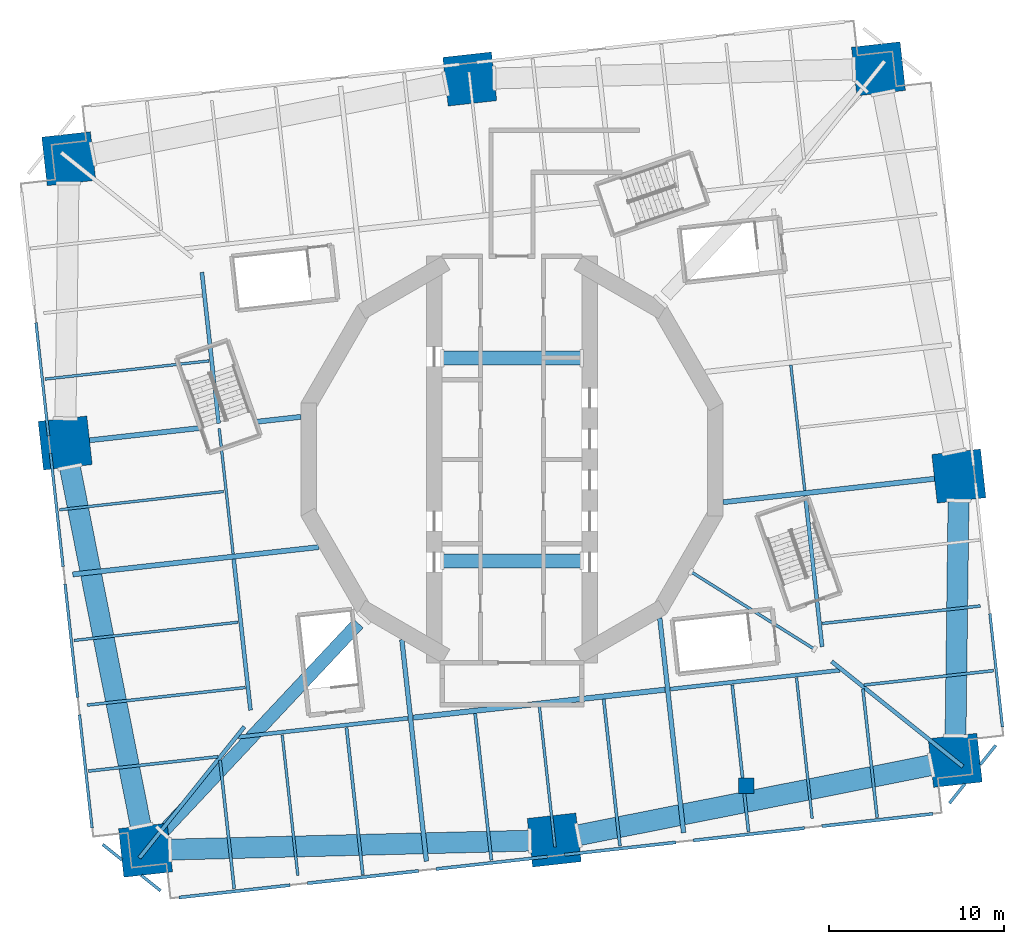
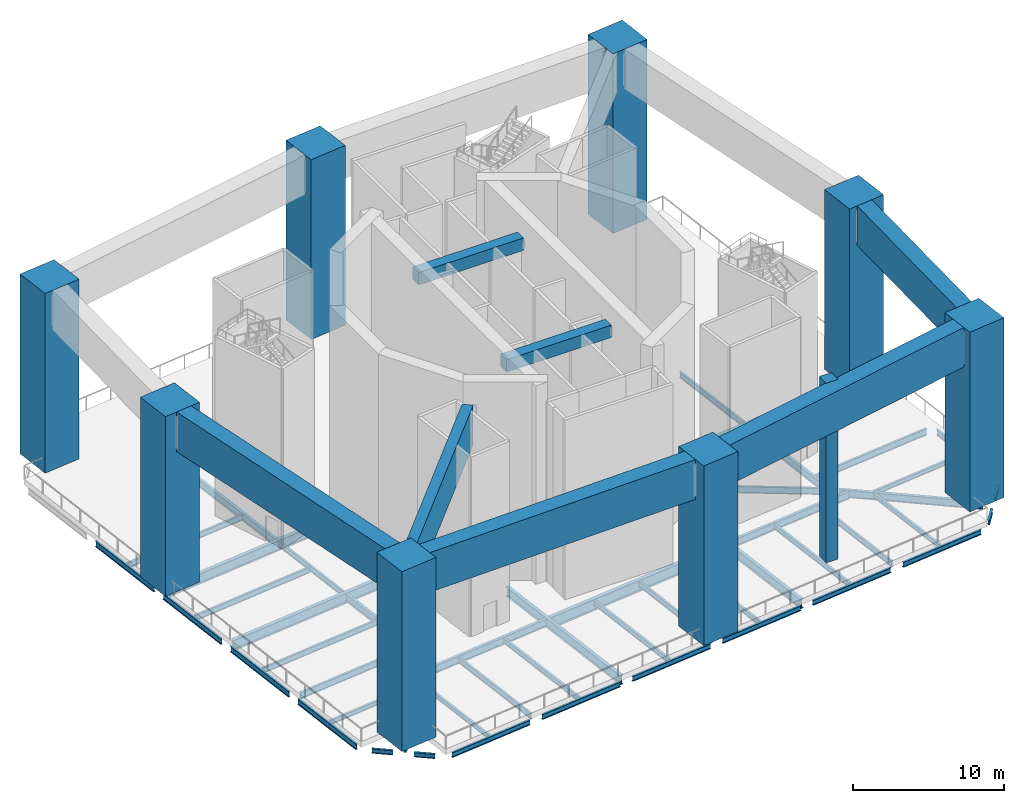
# One storey, part 1 of 13: 54 beams, 9 columns.
"""IFC4 building model written with IfcOpenShell, lengths in metres."""

from ifc_helpers import new_model, si_unit, direction, frame, origin, origin_2d, place, context, subcontext, project, spatial, rectangle, i_section, extrude, material, material_profile, profile_set, type_object, element, save


model = new_model("IFC4")

# Units and contexts
model_context = context("Model", 3, precision=1e-05, world=origin(), true_north=direction((0.0, 1.0)))
body_context = subcontext(model_context, "Body", "Model", "MODEL_VIEW")
ifc_project = project(units=[si_unit("LENGTHUNIT", "METRE"), si_unit("AREAUNIT", "SQUARE_METRE"), si_unit("VOLUMEUNIT", "CUBIC_METRE"), si_unit("PLANEANGLEUNIT", "RADIAN"), si_unit("MASSUNIT", "GRAM", prefix="KILO")], contexts=[model_context])

# Site, building, storey
site_placement = place(None, origin())
site = spatial("IfcSite", under=ifc_project, at=site_placement, CompositionType="ELEMENT")
building_placement = place(site_placement, origin())
building = spatial("IfcBuilding", under=site, at=building_placement, Name="Cantera Rosa Tower", CompositionType="ELEMENT")
storey_placement = place(building_placement, frame((0.0, 0.0, 84.300048828125)))
storey = spatial("IfcBuildingStorey", under=building, at=storey_placement, Name="L18", CompositionType="ELEMENT", Elevation=84.300048828125)

# Columns
ifc_material_1 = material(Name="Concrete C70/85", Category="concrete")
ifc_material_profile_1 = material_profile(ifc_material_1, rectangle(XDim=0.89990234375, YDim=0.89990234375, at=origin_2d()), Name="RC COLUMN RC900X900 C70/85")
ifc_profile_set_1 = profile_set([ifc_material_profile_1], Name="Concrete C70/85")
column_type_1 = type_object("IfcColumnType", Name="RC COLUMN RC900X900 C70/85", PredefinedType="COLUMN", material=ifc_profile_set_1)
column_placement = place(storey_placement, frame((13.40283203125, -18.652587890625, 0.0), z_axis=(0.0, 0.0, 1.0), x_axis=(1.0, 0.0, 0.0)))
element("IfcColumn", 1, at=column_placement, inside=storey, type_object=column_type_1, Name="CP-L19-2 L18", PredefinedType="COLUMN", context=body_context, shape_type="SweptSolid", body=[
    extrude(rectangle(XDim=0.89990234375, YDim=0.89990234375, at=origin_2d()), origin(), (0.0, 0.0, 1.0), 14.5),
])
ifc_material_2 = material(Name="Concrete C70/85", Category="concrete")
ifc_material_profile_2 = material_profile(ifc_material_2, rectangle(XDim=2.800048828125, YDim=2.800048828125, at=origin_2d()), Name="RC MEGA COLUMN RC2800X2800 C70/85")
ifc_profile_set_2 = profile_set([ifc_material_profile_2], Name="Concrete C70/85")
column_type_2 = type_object("IfcColumnType", Name="RC MEGA COLUMN RC2800X2800 C70/85", PredefinedType="COLUMN", material=ifc_profile_set_2)
for number, where, z_axis, x_axis, name in (
    (2, (20.962646484375, 22.348876953125, 0.0), (0.0, 0.0, 1.0), (0.993896946415, 0.110312555526, 0.0), "PM-C-Z1-07 L18"),
    (3, (25.35302734375, -17.208251953125, 0.0), (0.0, 0.0, 1.0), (0.993896946415, 0.110312555526, 0.0), "PM-C-Z1-30 L18"),
    (4, (-25.35302734375, 17.208251953125, 0.0), (0.0, 0.0, 1.0), (0.993896946415, 0.110312555526, 0.0), "PM-C-Z1-15 L18"),
    (5, (-20.962646484375, -22.348876953125, 0.0), (0.0, 0.0, 1.0), (0.993896946415, 0.110312555526, 0.0), "PM-C-Z1-22 L18"),
    (6, (25.560302734375, -0.946044921875, 0.0), (0.0, 0.0, 1.0), (0.993896946415, 0.110312555526, 0.0), "PM-C-Z1-03 L18"),
    (7, (-25.560302734375, 0.946044921875, 0.0), (0.0, 0.0, 1.0), (0.993896946415, 0.110312555526, 0.0), "PM-C-Z1-18 L18"),
    (8, (-2.415771484375, 21.766357421875, 0.0), (0.0, 0.0, 1.0), (0.993896946415, 0.110312555526, 0.0), "PM-C-Z1-11 L18"),
    (9, (2.415771484375, -21.766357421875, 0.0), (0.0, 0.0, 1.0), (0.993896946415, 0.110312555526, 0.0), "PM-C-Z1-26 L18"),
):
    element("IfcColumn", number, at=place(storey_placement, frame(where, z_axis=z_axis, x_axis=x_axis)), inside=storey, type_object=column_type_2, Name=name, PredefinedType="COLUMN", context=body_context, shape_type="SweptSolid", body=[
        extrude(rectangle(XDim=2.800048828125, YDim=2.800048828125, at=origin_2d()), origin(), (0.0, 0.0, 1.0), 14.5),
    ])

# Beams
ifc_material_3 = material(Name="Concrete C70/85", Category="concrete")
ifc_material_profile_3 = material_profile(ifc_material_3, rectangle(XDim=0.800048828125, YDim=1.0, at=origin_2d()), Name="RC COUPLING BEAM RC800X1000 C70/85")
ifc_profile_set_3 = profile_set([ifc_material_profile_3], Name="Concrete C70/85")
beam_type_1 = type_object("IfcBeamType", Name="RC COUPLING BEAM RC800X1000 C70/85", PredefinedType="BEAM", material=ifc_profile_set_3)
for number, where, z_axis, x_axis, name in (
    (10, (-4.0, -5.800048828125, 14.0), (1.0, 0.0, 0.0), (0.0, 1.0, 0.0), "CPL-L18-1"),
    (11, (-4.0, 5.800048828125, 14.0), (1.0, 0.0, 0.0), (0.0, 1.0, 0.0), "CPL-L18-2"),
):
    element("IfcBeam", number, at=place(storey_placement, frame(where, z_axis=z_axis, x_axis=x_axis)), inside=storey, type_object=beam_type_1, Name=name, PredefinedType="BEAM", context=body_context, shape_type="SweptSolid", body=[
        extrude(rectangle(XDim=0.800048828125, YDim=1.0, at=origin_2d()), origin(), (0.0, 0.0, 1.0), 8.0),
    ])
ifc_material_4 = material(Name="Concrete C70/85", Category="concrete")
ifc_material_profile_4 = material_profile(ifc_material_4, rectangle(XDim=0.75, YDim=3.199951171875, at=origin_2d()), Name="RC OUTRIGGER BEAM RC750X3200 C70/85")
ifc_profile_set_4 = profile_set([ifc_material_profile_4], Name="Concrete C70/85")
beam_type_2 = type_object("IfcBeamType", Name="RC OUTRIGGER BEAM RC750X3200 C70/85", PredefinedType="BEAM", material=ifc_profile_set_4)
beam_1_placement = place(storey_placement, frame((-8.791015625, -9.372314453125, 12.89990234375), z_axis=(-0.68412238268, -0.729367236388, 0.0), x_axis=(0.729367236388, -0.68412238268, 0.0)))
element("IfcBeam", 12, at=beam_1_placement, inside=storey, type_object=beam_type_2, Name="OR-S18 L18", PredefinedType="BEAM", context=body_context, shape_type="SweptSolid", body=[
    extrude(rectangle(XDim=0.75, YDim=3.199951171875, at=origin_2d()), origin(), (0.0, 0.0, 1.0), 16.441650390625),
])
ifc_material_5 = material(Name="Concrete C70/85", Category="concrete")
ifc_material_profile_5 = material_profile(ifc_material_5, rectangle(XDim=1.199951171875, YDim=3.199951171875, at=origin_2d()), Name="RC PORTAL TRANSFER GIRDER RC1200X3200 C70/85")
ifc_profile_set_5 = profile_set([ifc_material_profile_5], Name="Concrete C70/85")
beam_type_3 = type_object("IfcBeamType", Name="RC PORTAL TRANSFER GIRDER RC1200X3200 C70/85", PredefinedType="BEAM", material=ifc_profile_set_5)
beam_2_placement = place(storey_placement, frame((-19.613037109375, -22.315185546875, 12.89990234375), z_axis=(0.999689876079, 0.02490284451, 0.0), x_axis=(-0.02490284451, 0.999689876079, 0.0)))
element("IfcBeam", 13, at=beam_2_placement, inside=storey, type_object=beam_type_3, Name="PGB-L18-1", PredefinedType="BEAM", context=body_context, shape_type="SweptSolid", body=[
    extrude(rectangle(XDim=1.199951171875, YDim=3.199951171875, at=origin_2d()), origin(), (0.0, 0.0, 1.0), 20.685791015625),
])
beam_3_placement = place(storey_placement, frame((3.739990234375, -21.503173828125, 12.89990234375), z_axis=(0.980821880381, 0.194906231214, 0.0), x_axis=(-0.194906231214, 0.980821880381, 0.0)))
element("IfcBeam", 14, at=beam_3_placement, inside=storey, type_object=beam_type_3, Name="PGB-L18-2", PredefinedType="BEAM", context=body_context, shape_type="SweptSolid", body=[
    extrude(rectangle(XDim=1.199951171875, YDim=3.199951171875, at=origin_2d()), origin(), (0.0, 0.0, 1.0), 20.685546875),
])
beam_4_placement = place(storey_placement, frame((25.3701171875, -15.8583984375, 12.89990234375), z_axis=(0.012761777483, 0.999918565202, 0.0), x_axis=(-0.999918565202, 0.012761777483, 0.0)))
element("IfcBeam", 15, at=beam_4_placement, inside=storey, type_object=beam_type_3, Name="PGB-L18-3", PredefinedType="BEAM", context=body_context, shape_type="SweptSolid", body=[
    extrude(rectangle(XDim=1.199951171875, YDim=3.199951171875, at=origin_2d()), origin(), (0.0, 0.0, 1.0), 13.563720703125),
])
beam_5_placement = place(storey_placement, frame((-25.299072265625, -0.37841796875, 12.89990234375), z_axis=(0.193636851945, -0.981073274312, 0.0), x_axis=(0.981073274312, 0.193636851945, 0.0)))
element("IfcBeam", 16, at=beam_5_placement, inside=storey, type_object=beam_type_3, Name="PGB-L18-8", PredefinedType="BEAM", context=body_context, shape_type="SweptSolid", body=[
    extrude(rectangle(XDim=1.199951171875, YDim=3.199951171875, at=origin_2d()), origin(), (0.0, 0.0, 1.0), 21.044189453125),
])
ifc_material_6 = material(Name="Steel ASTM A992 (Fy 345 MPa)", Category="steel")
ifc_material_profile_6 = material_profile(ifc_material_6, i_section(OverallWidth=0.154052734375, OverallDepth=0.4599609375, WebThickness=0.009033203125, FlangeThickness=0.015380859375, FilletRadius=0.01025390625, at=origin_2d()), Name="W460X68")
ifc_profile_set_6 = profile_set([ifc_material_profile_6], Name="Steel ASTM A992 (Fy 345 MPa)")
beam_type_4 = type_object("IfcBeamType", Name="STEEL BEAM W460X68", PredefinedType="BEAM", material=ifc_profile_set_6)
beam_6_placement = place(storey_placement, frame((-12.249755859375, -23.796630859375, -0.679931640625), z_axis=(-0.110312435488, 0.993896959738, 0.0), x_axis=(-0.993896959738, -0.110312435488, 0.0)))
element("IfcBeam", 17, at=beam_6_placement, inside=storey, type_object=beam_type_4, Name="G-Z1-10 L18", PredefinedType="BEAM", context=body_context, shape_type="SweptSolid", body=[
    extrude(i_section(OverallWidth=0.154052734375, OverallDepth=0.4599609375, WebThickness=0.009033203125, FlangeThickness=0.015380859375, FilletRadius=0.01025390625, at=origin_2d()), origin(), (0.0, 0.0, 1.0), 8.10009765625),
])
for number, where, z_axis, x_axis, name in (
    (18, (2.4599609375, -22.163818359375, -0.679931640625), (-0.110315740112, 0.993896592953, 0.0), (-0.993896592953, -0.110315740112, 0.0), "G-Z1-12 L18"),
    (19, (17.169677734375, -20.53125, -0.679931640625), (-0.110315740112, 0.993896592953, 0.0), (-0.993896592953, -0.110315740112, 0.0), "G-Z1-14 L18"),
):
    element("IfcBeam", number, at=place(storey_placement, frame(where, z_axis=z_axis, x_axis=x_axis)), inside=storey, type_object=beam_type_4, Name=name, PredefinedType="BEAM", context=body_context, shape_type="SweptSolid", body=[
        extrude(i_section(OverallWidth=0.154052734375, OverallDepth=0.4599609375, WebThickness=0.009033203125, FlangeThickness=0.015380859375, FilletRadius=0.01025390625, at=origin_2d()), origin(), (0.0, 0.0, 1.0), 8.099853515625),
    ])
for number, where, z_axis, x_axis, name in (
    (20, (16.747802734375, -1.7734375, -0.679931640625), (-0.110301629462, 0.993898159037, 0.0), (-0.993898159037, -0.110301629462, 0.0), "RB-Z1-08 L18"),
    (21, (-15.951416015625, -5.402587890625, -0.679931640625), (-0.110301629462, 0.993898159037, 0.0), (-0.993898159037, -0.110301629462, 0.0), "RB-Z1-11 L18"),
):
    element("IfcBeam", number, at=place(storey_placement, frame(where, z_axis=z_axis, x_axis=x_axis)), inside=storey, type_object=beam_type_4, Name=name, PredefinedType="BEAM", context=body_context, shape_type="SweptSolid", body=[
        extrude(i_section(OverallWidth=0.154052734375, OverallDepth=0.4599609375, WebThickness=0.009033203125, FlangeThickness=0.015380859375, FilletRadius=0.01025390625, at=origin_2d()), origin(), (0.0, 0.0, 1.0), 7.219970703125),
    ])
ifc_material_7 = material(Name="Steel ASTM A992 (Fy 345 MPa)", Category="steel")
ifc_material_profile_7 = material_profile(ifc_material_7, i_section(OverallWidth=0.166015625, OverallDepth=0.528076171875, WebThickness=0.009765625, FlangeThickness=0.013671875, FilletRadius=0.0126953125, at=origin_2d()), Name="W530X74")
ifc_profile_set_7 = profile_set([ifc_material_profile_7], Name="Steel ASTM A992 (Fy 345 MPa)")
beam_type_5 = type_object("IfcBeamType", Name="STEEL BEAM W530X74", PredefinedType="BEAM", material=ifc_profile_set_7)
for number, where, z_axis, x_axis, name in (
    (22, (26.78759765625, -8.376220703125, -0.714111328125), (-0.993899428859, -0.110290186845, 0.0), (0.110290186845, -0.993899428859, 0.0), "G-Z1-01 L18"),
    (23, (-24.298828125, -14.046142578125, -0.714111328125), (0.993896161189, 0.110319630049, 0.0), (-0.110319630049, 0.993896161189, 0.0), "G-Z1-18 L18"),
):
    element("IfcBeam", number, at=place(storey_placement, frame(where, z_axis=z_axis, x_axis=x_axis)), inside=storey, type_object=beam_type_5, Name=name, PredefinedType="BEAM", context=body_context, shape_type="SweptSolid", body=[
        extrude(i_section(OverallWidth=0.166015625, OverallDepth=0.528076171875, WebThickness=0.009765625, FlangeThickness=0.013671875, FilletRadius=0.0126953125, at=origin_2d()), origin(), (0.0, 0.0, 1.0), 9.10009765625),
    ])
beam_7_placement = place(storey_placement, frame((17.302490234375, -10.8505859375, -0.714111328125), z_axis=(-0.847189957301, 0.531290105543, 0.0), x_axis=(-0.531290105543, -0.847189957301, 0.0)))
element("IfcBeam", 24, at=beam_7_placement, inside=storey, type_object=beam_type_5, Name="PG-Z1-01 L18", PredefinedType="BEAM", context=body_context, shape_type="SweptSolid", body=[
    extrude(i_section(OverallWidth=0.166015625, OverallDepth=0.528076171875, WebThickness=0.009765625, FlangeThickness=0.013671875, FilletRadius=0.0126953125, at=origin_2d()), origin(), (0.0, 0.0, 1.0), 8.34130859375),
])
ifc_material_8 = material(Name="Steel ASTM A992 (Fy 345 MPa)", Category="steel")
ifc_material_profile_8 = material_profile(ifc_material_8, i_section(OverallWidth=0.22802734375, OverallDepth=0.60205078125, WebThickness=0.010498046875, FlangeThickness=0.014892578125, FilletRadius=0.0126953125, at=origin_2d()), Name="W610X101")
ifc_profile_set_8 = profile_set([ifc_material_profile_8], Name="Steel ASTM A992 (Fy 345 MPa)")
beam_type_6 = type_object("IfcBeamType", Name="STEEL BEAM W610X101", PredefinedType="BEAM", material=ifc_profile_set_8)
beam_8_placement = place(storey_placement, frame((-21.31591796875, -22.79052734375, -0.7509765625), z_axis=(0.624787924463, 0.780794498857, 0.0), x_axis=(-0.780794498857, 0.624787924463, 0.0)))
element("IfcBeam", 25, at=beam_8_placement, inside=storey, type_object=beam_type_6, Name="CB-Z1-03 L18", PredefinedType="BEAM", context=body_context, shape_type="SweptSolid", body=[
    extrude(i_section(OverallWidth=0.22802734375, OverallDepth=0.60205078125, WebThickness=0.010498046875, FlangeThickness=0.014892578125, FilletRadius=0.0126953125, at=origin_2d()), origin(), (0.0, 0.0, 1.0), 9.616455078125),
])
beam_9_placement = place(storey_placement, frame((25.794677734375, -17.561767578125, -0.7509765625), z_axis=(-0.78078211406, 0.62480340137, 0.0), x_axis=(-0.62480340137, -0.78078211406, 0.0)))
element("IfcBeam", 26, at=beam_9_placement, inside=storey, type_object=beam_type_6, Name="CB-Z1-04 L18", PredefinedType="BEAM", context=body_context, shape_type="SweptSolid", body=[
    extrude(i_section(OverallWidth=0.22802734375, OverallDepth=0.60205078125, WebThickness=0.010498046875, FlangeThickness=0.014892578125, FilletRadius=0.0126953125, at=origin_2d()), origin(), (0.0, 0.0, 1.0), 9.61669921875),
])
for number, where, z_axis, x_axis, name in (
    (27, (17.739501953125, -10.70849609375, -0.7509765625), (-0.110298932846, 0.993898458301, 0.0), (-0.993898458301, -0.110298932846, 0.0), "RB-Z1-07 L18"),
    (28, (-14.959716796875, -14.337646484375, -0.7509765625), (-0.110298932846, 0.993898458301, 0.0), (-0.993898458301, -0.110298932846, 0.0), "RB-Z1-10 L18"),
    (29, (-16.781005859375, 2.071533203125, -0.7509765625), (-0.110298932846, 0.993898458301, 0.0), (-0.993898458301, -0.110298932846, 0.0), "RB-Z1-12 L18"),
):
    element("IfcBeam", number, at=place(storey_placement, frame(where, z_axis=z_axis, x_axis=x_axis)), inside=storey, type_object=beam_type_6, Name=name, PredefinedType="BEAM", context=body_context, shape_type="SweptSolid", body=[
        extrude(i_section(OverallWidth=0.22802734375, OverallDepth=0.60205078125, WebThickness=0.010498046875, FlangeThickness=0.014892578125, FilletRadius=0.0126953125, at=origin_2d()), origin(), (0.0, 0.0, 1.0), 8.68994140625),
    ])
ifc_material_9 = material(Name="Steel ASTM A992 (Fy 345 MPa)", Category="steel")
ifc_material_profile_9 = material_profile(ifc_material_9, i_section(OverallWidth=0.22900390625, OverallDepth=0.612060546875, WebThickness=0.011962890625, FlangeThickness=0.01953125, FilletRadius=0.0126953125, at=origin_2d()), Name="W610X125")
ifc_profile_set_9 = profile_set([ifc_material_profile_9], Name="Steel ASTM A992 (Fy 345 MPa)")
beam_type_7 = type_object("IfcBeamType", Name="STEEL BEAM W610X125", PredefinedType="BEAM", material=ifc_profile_set_9)
beam_10_placement = place(storey_placement, frame((-15.64453125, -15.87255859375, -0.756103515625), z_axis=(0.993898078625, 0.110302354035, 0.0), x_axis=(-0.110302354035, 0.993898078625, 0.0)))
element("IfcBeam", 30, at=beam_10_placement, inside=storey, type_object=beam_type_7, Name="RB-Z1-04 L18", PredefinedType="BEAM", context=body_context, shape_type="SweptSolid", body=[
    extrude(i_section(OverallWidth=0.22900390625, OverallDepth=0.612060546875, WebThickness=0.011962890625, FlangeThickness=0.01953125, FilletRadius=0.0126953125, at=origin_2d()), origin(), (0.0, 0.0, 1.0), 9.75),
])
beam_11_placement = place(storey_placement, frame((9.0537109375, -13.13134765625, -0.756103515625), z_axis=(0.993898383269, 0.110299608956, 0.0), x_axis=(-0.110299608956, 0.993898383269, 0.0)))
element("IfcBeam", 31, at=beam_11_placement, inside=storey, type_object=beam_type_7, Name="RB-Z1-06 L18", PredefinedType="BEAM", context=body_context, shape_type="SweptSolid", body=[
    extrude(i_section(OverallWidth=0.22900390625, OverallDepth=0.612060546875, WebThickness=0.011962890625, FlangeThickness=0.01953125, FilletRadius=0.0126953125, at=origin_2d()), origin(), (0.0, 0.0, 1.0), 9.750244140625),
])
ifc_material_10 = material(Name="Steel ASTM A992 (Fy 345 MPa)", Category="steel")
ifc_material_profile_10 = material_profile(ifc_material_10, i_section(OverallWidth=0.26708984375, OverallDepth=0.75390625, WebThickness=0.01318359375, FlangeThickness=0.01708984375, FilletRadius=0.0166015625, at=origin_2d()), Name="W760X147")
ifc_profile_set_10 = profile_set([ifc_material_profile_10], Name="Steel ASTM A992 (Fy 345 MPa)")
beam_type_8 = type_object("IfcBeamType", Name="STEEL BEAM W760X147", PredefinedType="BEAM", material=ifc_profile_set_10)
beam_12_placement = place(storey_placement, frame((-4.894775390625, -22.980224609375, -0.8271484375), z_axis=(-0.11031177493, 0.993897033053, 0.0), x_axis=(-0.993897033053, -0.11031177493, 0.0)))
element("IfcBeam", 32, at=beam_12_placement, inside=storey, type_object=beam_type_8, Name="G-Z1-11 L18", PredefinedType="BEAM", context=body_context, shape_type="SweptSolid", body=[
    extrude(i_section(OverallWidth=0.26708984375, OverallDepth=0.75390625, WebThickness=0.01318359375, FlangeThickness=0.01708984375, FilletRadius=0.0166015625, at=origin_2d()), origin(), (0.0, 0.0, 1.0), 12.754638671875),
])
beam_13_placement = place(storey_placement, frame((9.814697265625, -21.34765625, -0.8271484375), z_axis=(-0.110292782244, 0.993899140851, 0.0), x_axis=(-0.993899140851, -0.110292782244, 0.0)))
element("IfcBeam", 33, at=beam_13_placement, inside=storey, type_object=beam_type_8, Name="G-Z1-13 L18", PredefinedType="BEAM", context=body_context, shape_type="SweptSolid", body=[
    extrude(i_section(OverallWidth=0.26708984375, OverallDepth=0.75390625, WebThickness=0.01318359375, FlangeThickness=0.01708984375, FilletRadius=0.0166015625, at=origin_2d()), origin(), (0.0, 0.0, 1.0), 12.360595703125),
])
ifc_material_11 = material(Name="Steel ASTM A992 (Fy 345 MPa)", Category="steel")
ifc_material_profile_11 = material_profile(ifc_material_11, i_section(OverallWidth=0.2919921875, OverallDepth=0.8359375, WebThickness=0.013916015625, FlangeThickness=0.018798828125, FilletRadius=0.017822265625, at=origin_2d()), Name="W840X176")
ifc_profile_set_11 = profile_set([ifc_material_profile_11], Name="Steel ASTM A992 (Fy 345 MPa)")
beam_type_9 = type_object("IfcBeamType", Name="STEEL BEAM W840X176", PredefinedType="BEAM", material=ifc_profile_set_11)
for number, where, z_axis, x_axis, name in (
    (34, (25.9580078125, -0.902099609375, -0.8681640625), (-0.993898644981, -0.110297250672, 0.0), (0.110297250672, -0.993898644981, 0.0), "G-Z1-02 L18"),
    (35, (-25.9580078125, 0.902099609375, -0.8681640625), (0.993898644981, 0.110297250672, 0.0), (-0.110297250672, 0.993898644981, 0.0), "G-Z1-16 L18"),
):
    element("IfcBeam", number, at=place(storey_placement, frame(where, z_axis=z_axis, x_axis=x_axis)), inside=storey, type_object=beam_type_9, Name=name, PredefinedType="BEAM", context=body_context, shape_type="SweptSolid", body=[
        extrude(i_section(OverallWidth=0.2919921875, OverallDepth=0.8359375, WebThickness=0.013916015625, FlangeThickness=0.018798828125, FilletRadius=0.017822265625, at=origin_2d()), origin(), (0.0, 0.0, 1.0), 13.96923828125),
    ])
beam_14_placement = place(storey_placement, frame((-25.12841796875, -6.572021484375, -0.8681640625), z_axis=(0.993897599241, 0.110306673519, 0.0), x_axis=(-0.110306673519, 0.993897599241, 0.0)))
element("IfcBeam", 36, at=beam_14_placement, inside=storey, type_object=beam_type_9, Name="G-Z1-17 L18", PredefinedType="BEAM", context=body_context, shape_type="SweptSolid", body=[
    extrude(i_section(OverallWidth=0.2919921875, OverallDepth=0.8359375, WebThickness=0.013916015625, FlangeThickness=0.018798828125, FilletRadius=0.017822265625, at=origin_2d()), origin(), (0.0, 0.0, 1.0), 14.1650390625),
])
ifc_material_12 = material(Name="Steel ASTM A992 (Fy 345 MPa)", Category="steel")
ifc_material_profile_12 = material_profile(ifc_material_12, i_section(OverallWidth=0.304931640625, OverallDepth=0.9189453125, WebThickness=0.017333984375, FlangeThickness=0.02783203125, FilletRadius=0.01904296875, at=origin_2d()), Name="W920X253")
ifc_profile_set_12 = profile_set([ifc_material_profile_12], Name="Steel ASTM A992 (Fy 345 MPa)")
beam_type_10 = type_object("IfcBeamType", Name="STEEL BEAM W920X253", PredefinedType="BEAM", material=ifc_profile_set_12)
beam_15_placement = place(storey_placement, frame((-5.65576171875, -14.763916015625, -0.90966796875), z_axis=(0.993898099692, 0.110302164209, 0.0), x_axis=(-0.110302164209, 0.993898099692, 0.0)))
element("IfcBeam", 37, at=beam_15_placement, inside=storey, type_object=beam_type_10, Name="RB-Z1-05 L18", PredefinedType="BEAM", context=body_context, shape_type="SweptSolid", body=[
    extrude(i_section(OverallWidth=0.304931640625, OverallDepth=0.9189453125, WebThickness=0.017333984375, FlangeThickness=0.02783203125, FilletRadius=0.01904296875, at=origin_2d()), origin(), (0.0, 0.0, 1.0), 14.499755859375),
])
ifc_material_13 = material(Name="Steel ASTM A992 (Fy 345 MPa)", Category="steel")
ifc_material_profile_13 = material_profile(ifc_material_13, i_section(OverallWidth=0.1708984375, OverallDepth=0.35595703125, WebThickness=0.00732421875, FlangeThickness=0.01171875, FilletRadius=0.010009765625, at=origin_2d()), Name="W360X51")
ifc_profile_set_13 = profile_set([ifc_material_profile_13], Name="Steel ASTM A992 (Fy 345 MPa)")
beam_type_11 = type_object("IfcBeamType", Name="STEEL JOIST W360X51", PredefinedType="JOIST", material=ifc_profile_set_13)
beam_16_placement = place(storey_placement, frame((27.550048828125, -12.074462890625, -0.6279296875), z_axis=(-0.993895702238, -0.110323764768, 0.0), x_axis=(0.110323764768, -0.993895702238, 0.0)))
element("IfcBeam", 38, at=beam_16_placement, inside=storey, type_object=beam_type_11, Name="B-Z1-01 L18", PredefinedType="JOIST", context=body_context, shape_type="SweptSolid", body=[
    extrude(i_section(OverallWidth=0.1708984375, OverallDepth=0.35595703125, WebThickness=0.00732421875, FlangeThickness=0.01171875, FilletRadius=0.010009765625, at=origin_2d()), origin(), (0.0, 0.0, 1.0), 7.4599609375),
])
for number, where, z_axis, x_axis, name in (
    (39, (-15.888427734375, -24.552490234375, -0.6279296875), (-0.110326513132, 0.993895397162, 0.0), (-0.993895397162, -0.110326513132, 0.0), "B-Z1-12 L18"),
    (40, (20.8857421875, -20.470947265625, -0.6279296875), (-0.110326513132, 0.993895397162, 0.0), (-0.993895397162, -0.110326513132, 0.0), "B-Z1-17 L18"),
):
    element("IfcBeam", number, at=place(storey_placement, frame(where, z_axis=z_axis, x_axis=x_axis)), inside=storey, type_object=beam_type_11, Name=name, PredefinedType="JOIST", context=body_context, shape_type="SweptSolid", body=[
        extrude(i_section(OverallWidth=0.1708984375, OverallDepth=0.35595703125, WebThickness=0.00732421875, FlangeThickness=0.01171875, FilletRadius=0.010009765625, at=origin_2d()), origin(), (0.0, 0.0, 1.0), 7.39990234375),
    ])
beam_17_placement = place(storey_placement, frame((-24.23193359375, -17.82177734375, -0.6279296875), z_axis=(0.993899688369, 0.110287848199, 0.0), x_axis=(-0.110287848199, 0.993899688369, 0.0)))
element("IfcBeam", 41, at=beam_17_placement, inside=storey, type_object=beam_type_11, Name="B-Z1-22 L18", PredefinedType="JOIST", context=body_context, shape_type="SweptSolid", body=[
    extrude(i_section(OverallWidth=0.1708984375, OverallDepth=0.35595703125, WebThickness=0.00732421875, FlangeThickness=0.01171875, FilletRadius=0.010009765625, at=origin_2d()), origin(), (0.0, 0.0, 1.0), 7.4599609375),
])
ifc_material_14 = material(Name="Steel ASTM A992 (Fy 345 MPa)", Category="steel")
ifc_material_profile_14 = material_profile(ifc_material_14, i_section(OverallWidth=0.177978515625, OverallDepth=0.406005859375, WebThickness=0.0078125, FlangeThickness=0.0126953125, FilletRadius=0.01025390625, at=origin_2d()), Name="W410X60")
ifc_profile_set_14 = profile_set([ifc_material_profile_14], Name="Steel ASTM A992 (Fy 345 MPa)")
beam_type_12 = type_object("IfcBeamType", Name="STEEL JOIST W410X60", PredefinedType="JOIST", material=ifc_profile_set_14)
for number, where, z_axis, x_axis, name in (
    (42, (-8.53369140625, -23.736328125, -0.653076171875), (-0.110311022989, 0.99389711651, 0.0), (-0.99389711651, -0.110311022989, 0.0), "B-Z1-13 L18"),
    (43, (-1.178955078125, -22.919921875, -0.653076171875), (-0.110311022989, 0.99389711651, 0.0), (-0.99389711651, -0.110311022989, 0.0), "B-Z1-14 L18"),
    (44, (6.176025390625, -22.103515625, -0.653076171875), (-0.110311022989, 0.99389711651, 0.0), (-0.99389711651, -0.110311022989, 0.0), "B-Z1-15 L18"),
    (45, (13.53076171875, -21.287353515625, -0.653076171875), (-0.110311022989, 0.99389711651, 0.0), (-0.99389711651, -0.110311022989, 0.0), "B-Z1-16 L18"),
):
    element("IfcBeam", number, at=place(storey_placement, frame(where, z_axis=z_axis, x_axis=x_axis)), inside=storey, type_object=beam_type_12, Name=name, PredefinedType="JOIST", context=body_context, shape_type="SweptSolid", body=[
        extrude(i_section(OverallWidth=0.177978515625, OverallDepth=0.406005859375, WebThickness=0.0078125, FlangeThickness=0.0126953125, FilletRadius=0.01025390625, at=origin_2d()), origin(), (0.0, 0.0, 1.0), 8.449951171875),
    ])
ifc_material_15 = material(Name="Steel ASTM A992 (Fy 345 MPa)", Category="steel")
ifc_material_profile_15 = material_profile(ifc_material_15, i_section(OverallWidth=0.154052734375, OverallDepth=0.4599609375, WebThickness=0.009033203125, FlangeThickness=0.015380859375, FilletRadius=0.01025390625, at=origin_2d()), Name="W460X68")
ifc_profile_set_15 = profile_set([ifc_material_profile_15], Name="Steel ASTM A992 (Fy 345 MPa)")
beam_type_13 = type_object("IfcBeamType", Name="STEEL JOIST W460X68", PredefinedType="JOIST", material=ifc_profile_set_15)
for number, where, z_axis, x_axis, name in (
    (46, (-26.720458984375, 4.600341796875, -0.679931640625), (0.993896645353, 0.110315268011, 0.0), (-0.110315268011, 0.993896645353, 0.0), "B-Z1-19 L18"),
    (47, (-25.89111328125, -2.87353515625, -0.679931640625), (0.993899477629, 0.110289747342, 0.0), (-0.110289747342, 0.993899477629, 0.0), "B-Z1-20 L18"),
    (48, (-25.0615234375, -10.34765625, -0.679931640625), (0.993896645353, 0.110315268011, 0.0), (-0.110315268011, 0.993896645353, 0.0), "B-Z1-21 L18"),
):
    element("IfcBeam", number, at=place(storey_placement, frame(where, z_axis=z_axis, x_axis=x_axis)), inside=storey, type_object=beam_type_13, Name=name, PredefinedType="JOIST", context=body_context, shape_type="SweptSolid", body=[
        extrude(i_section(OverallWidth=0.154052734375, OverallDepth=0.4599609375, WebThickness=0.009033203125, FlangeThickness=0.015380859375, FilletRadius=0.01025390625, at=origin_2d()), origin(), (0.0, 0.0, 1.0), 9.449951171875),
    ])
ifc_material_16 = material(Name="Steel ASTM A992 (Fy 345 MPa)", Category="steel")
ifc_material_profile_16 = material_profile(ifc_material_16, i_section(OverallWidth=0.1708984375, OverallDepth=0.35595703125, WebThickness=0.00732421875, FlangeThickness=0.01171875, FilletRadius=0.010009765625, at=origin_2d()), Name="W360X51")
ifc_profile_set_16 = profile_set([ifc_material_profile_16], Name="Steel ASTM A992 (Fy 345 MPa)")
beam_type_14 = type_object("IfcBeamType", Name="STEEL SPANDREL BEAM W360X51", PredefinedType="SPANDREL", material=ifc_profile_set_16)
for number, where, z_axis, x_axis, name in (
    (49, (-23.4140625, -22.017333984375, -0.6279296875), (0.780818280208, -0.624758203863, 0.0), (0.624758203863, 0.780818280208, 0.0), "EB-Z1-21 L18"),
    (50, (-21.205810546875, -23.784423828125, -0.6279296875), (0.780818280208, -0.624758203863, 0.0), (0.624758203863, 0.780818280208, 0.0), "EB-Z1-22 L18"),
    (51, (25.021484375, -19.659912109375, -0.6279296875), (0.624758203863, 0.780818280208, 0.0), (-0.780818280208, 0.624758203863, 0.0), "EB-Z1-29 L18"),
    (52, (26.78857421875, -17.451416015625, -0.6279296875), (0.624758203863, 0.780818280208, 0.0), (-0.780818280208, 0.624758203863, 0.0), "EB-Z1-30 L18"),
):
    element("IfcBeam", number, at=place(storey_placement, frame(where, z_axis=z_axis, x_axis=x_axis)), inside=storey, type_object=beam_type_14, Name=name, PredefinedType="SPANDREL", context=body_context, shape_type="SweptSolid", body=[
        extrude(i_section(OverallWidth=0.1708984375, OverallDepth=0.35595703125, WebThickness=0.00732421875, FlangeThickness=0.01171875, FilletRadius=0.010009765625, at=origin_2d()), origin(), (0.0, 0.0, 1.0), 1.414306640625),
    ])
ifc_material_17 = material(Name="Steel ASTM A992 (Fy 345 MPa)", Category="steel")
ifc_material_profile_17 = material_profile(ifc_material_17, i_section(OverallWidth=0.177978515625, OverallDepth=0.406005859375, WebThickness=0.0078125, FlangeThickness=0.0126953125, FilletRadius=0.01025390625, at=origin_2d()), Name="W410X60")
ifc_profile_set_17 = profile_set([ifc_material_profile_17], Name="Steel ASTM A992 (Fy 345 MPa)")
beam_type_15 = type_object("IfcBeamType", Name="STEEL SPANDREL BEAM W410X60", PredefinedType="SPANDREL", material=ifc_profile_set_17)
beam_18_placement = place(storey_placement, frame((-19.052490234375, -25.0546875, -0.653076171875), z_axis=(0.993896288542, 0.110318482689, 0.0), x_axis=(-0.110318482689, 0.993896288542, 0.0)))
element("IfcBeam", 53, at=beam_18_placement, inside=storey, type_object=beam_type_15, Name="EB-Z1-23 L18", PredefinedType="SPANDREL", context=body_context, shape_type="SweptSolid", body=[
    extrude(i_section(OverallWidth=0.177978515625, OverallDepth=0.406005859375, WebThickness=0.0078125, FlangeThickness=0.0126953125, FilletRadius=0.01025390625, at=origin_2d()), origin(), (0.0, 0.0, 1.0), 6.400146484375),
])
for number, where, z_axis, x_axis, name in (
    (54, (-11.697509765625, -24.23828125, -0.653076171875), (0.993895824271, 0.110322665379, 0.0), (-0.110322665379, 0.993895824271, 0.0), "EB-Z1-24 L18"),
    (55, (-4.3427734375, -23.422119140625, -0.653076171875), (0.993895824271, 0.110322665379, 0.0), (-0.110322665379, 0.993895824271, 0.0), "EB-Z1-25 L18"),
):
    element("IfcBeam", number, at=place(storey_placement, frame(where, z_axis=z_axis, x_axis=x_axis)), inside=storey, type_object=beam_type_15, Name=name, PredefinedType="SPANDREL", context=body_context, shape_type="SweptSolid", body=[
        extrude(i_section(OverallWidth=0.177978515625, OverallDepth=0.406005859375, WebThickness=0.0078125, FlangeThickness=0.0126953125, FilletRadius=0.01025390625, at=origin_2d()), origin(), (0.0, 0.0, 1.0), 6.39990234375),
    ])
beam_19_placement = place(storey_placement, frame((3.011962890625, -22.605712890625, -0.653076171875), z_axis=(0.993896288542, 0.110318482689, 0.0), x_axis=(-0.110318482689, 0.993896288542, 0.0)))
element("IfcBeam", 56, at=beam_19_placement, inside=storey, type_object=beam_type_15, Name="EB-Z1-26 L18", PredefinedType="SPANDREL", context=body_context, shape_type="SweptSolid", body=[
    extrude(i_section(OverallWidth=0.177978515625, OverallDepth=0.406005859375, WebThickness=0.0078125, FlangeThickness=0.0126953125, FilletRadius=0.01025390625, at=origin_2d()), origin(), (0.0, 0.0, 1.0), 6.400146484375),
])
beam_20_placement = place(storey_placement, frame((10.366943359375, -21.789306640625, -0.653076171875), z_axis=(0.993900006422, 0.110284981906, 0.0), x_axis=(-0.110284981906, 0.993900006422, 0.0)))
element("IfcBeam", 57, at=beam_20_placement, inside=storey, type_object=beam_type_15, Name="EB-Z1-27 L18", PredefinedType="SPANDREL", context=body_context, shape_type="SweptSolid", body=[
    extrude(i_section(OverallWidth=0.177978515625, OverallDepth=0.406005859375, WebThickness=0.0078125, FlangeThickness=0.0126953125, FilletRadius=0.01025390625, at=origin_2d()), origin(), (0.0, 0.0, 1.0), 6.39990234375),
])
beam_21_placement = place(storey_placement, frame((17.7216796875, -20.97314453125, -0.653076171875), z_axis=(0.993896288542, 0.110318482689, 0.0), x_axis=(-0.110318482689, 0.993896288542, 0.0)))
element("IfcBeam", 58, at=beam_21_placement, inside=storey, type_object=beam_type_15, Name="EB-Z1-28 L18", PredefinedType="SPANDREL", context=body_context, shape_type="SweptSolid", body=[
    extrude(i_section(OverallWidth=0.177978515625, OverallDepth=0.406005859375, WebThickness=0.0078125, FlangeThickness=0.0126953125, FilletRadius=0.01025390625, at=origin_2d()), origin(), (0.0, 0.0, 1.0), 6.400146484375),
])
ifc_material_18 = material(Name="Steel ASTM A992 (Fy 345 MPa)", Category="steel")
ifc_material_profile_18 = material_profile(ifc_material_18, i_section(OverallWidth=0.154052734375, OverallDepth=0.4599609375, WebThickness=0.009033203125, FlangeThickness=0.015380859375, FilletRadius=0.01025390625, at=origin_2d()), Name="W460X68")
ifc_profile_set_18 = profile_set([ifc_material_profile_18], Name="Steel ASTM A992 (Fy 345 MPa)")
beam_type_16 = type_object("IfcBeamType", Name="STEEL SPANDREL BEAM W460X68", PredefinedType="SPANDREL", material=ifc_profile_set_18)
for number, where, z_axis, x_axis, name in (
    (59, (28.058837890625, -15.298095703125, -0.679931640625), (-0.110312341265, 0.993896970196, 0.0), (-0.993896970196, -0.110312341265, 0.0), "EB-Z1-01 L18"),
    (60, (-27.229248046875, 7.823974609375, -0.679931640625), (0.110312341265, -0.993896970196, 0.0), (0.993896970196, 0.110312341265, 0.0), "EB-Z1-17 L18"),
    (61, (-26.399658203125, 0.349853515625, -0.679931640625), (0.110312341265, -0.993896970196, 0.0), (0.993896970196, 0.110312341265, 0.0), "EB-Z1-18 L18"),
    (62, (-25.570068359375, -7.124267578125, -0.679931640625), (0.110312341265, -0.993896970196, 0.0), (0.993896970196, 0.110312341265, 0.0), "EB-Z1-19 L18"),
    (63, (-24.74072265625, -14.598388671875, -0.679931640625), (0.110312341265, -0.993896970196, 0.0), (0.993896970196, 0.110312341265, 0.0), "EB-Z1-20 L18"),
):
    element("IfcBeam", number, at=place(storey_placement, frame(where, z_axis=z_axis, x_axis=x_axis)), inside=storey, type_object=beam_type_16, Name=name, PredefinedType="SPANDREL", context=body_context, shape_type="SweptSolid", body=[
        extrude(i_section(OverallWidth=0.154052734375, OverallDepth=0.4599609375, WebThickness=0.009033203125, FlangeThickness=0.015380859375, FilletRadius=0.01025390625, at=origin_2d()), origin(), (0.0, 0.0, 1.0), 6.52001953125),
    ])

save(model, "model.ifc")
